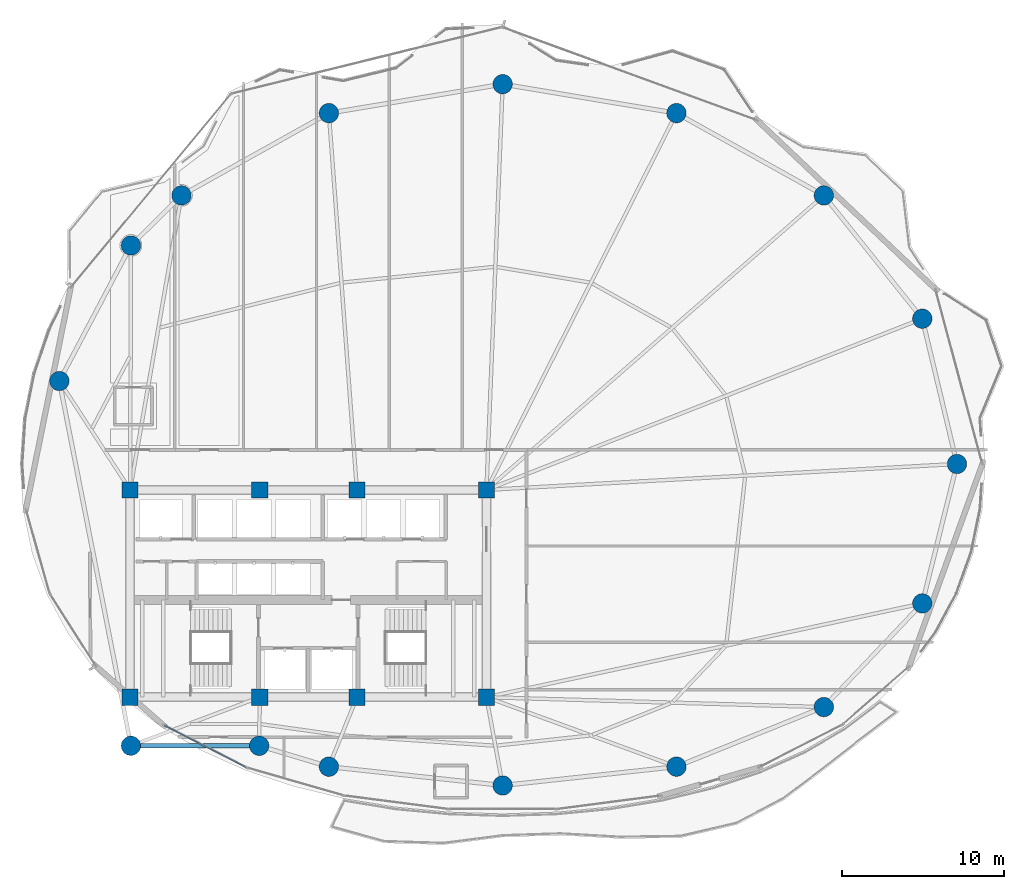
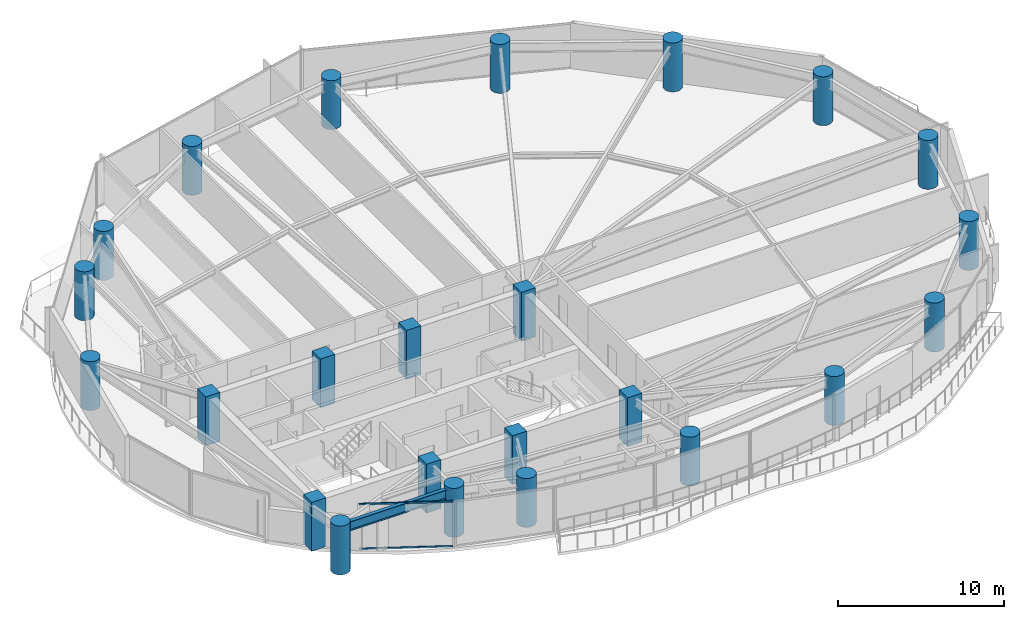
# One storey, part 1 of 28: 24 columns, 2 members, 1 beam, 1 element without a shape of its own.
"""IFC4 building model written with IfcOpenShell, lengths in metres."""

from ifc_helpers import new_model, si_unit, direction, frame, origin, origin_2d, place, context, subcontext, project, spatial, rectangle, hollow_rectangle, circle, i_section, extrude, material, layer, layer_set, material_profile, profile_set, type_object, element, aggregate, save


model = new_model("IFC4")

# Units and contexts
model_context = context("Model", 3, precision=1e-05, world=origin(), true_north=direction((0.0, 1.0)))
body_context = subcontext(model_context, "Body", "Model", "MODEL_VIEW")
ifc_project = project(units=[si_unit("LENGTHUNIT", "METRE"), si_unit("AREAUNIT", "SQUARE_METRE"), si_unit("VOLUMEUNIT", "CUBIC_METRE"), si_unit("PLANEANGLEUNIT", "RADIAN"), si_unit("MASSUNIT", "GRAM", prefix="KILO")], contexts=[model_context])

# Site, building, storey
site_placement = place(None, origin())
site = spatial("IfcSite", under=ifc_project, at=site_placement, CompositionType="ELEMENT")
building_placement = place(site_placement, origin())
building = spatial("IfcBuilding", under=site, at=building_placement, Name="Kazevale Care Tower and Concert Hall", CompositionType="ELEMENT")
storey_placement = place(building_placement, frame((0.0, 0.0, 102.60009765625)))
storey = spatial("IfcBuildingStorey", under=building, at=storey_placement, Name="L26", CompositionType="ELEMENT", Elevation=102.60009765625)

# Columns
ifc_material_1 = material(Name="Concrete C60", Category="concrete")
ifc_material_profile_1 = material_profile(ifc_material_1, rectangle(XDim=1.0, YDim=1.0, at=origin_2d()), Name="RC-SQ1000")
ifc_profile_set_1 = profile_set([ifc_material_profile_1], Name="Concrete C60")
column_type_1 = type_object("IfcColumnType", Name="Core Column SQ1000 C60", PredefinedType="COLUMN", material=ifc_profile_set_1)
for number, where, z_axis, x_axis, name in (
    (1, (22.0, 23.60009765625, 0.0), (0.0, 0.0, 1.0), (1.0, 0.0, 0.0), "col:L26:CC-01"),
    (2, (30.0, 23.60009765625, 0.0), (0.0, 0.0, 1.0), (1.0, 0.0, 0.0), "col:L26:CC-02"),
    (3, (36.0, 23.60009765625, 0.0), (0.0, 0.0, 1.0), (1.0, 0.0, 0.0), "col:L26:CC-03"),
    (4, (44.0, 23.60009765625, 0.0), (0.0, 0.0, 1.0), (1.0, 0.0, 0.0), "col:L26:CC-04"),
    (5, (44.0, 36.39990234375, 0.0), (0.0, 0.0, 1.0), (1.0, 0.0, 0.0), "col:L26:CC-05"),
    (6, (36.0, 36.39990234375, 0.0), (0.0, 0.0, 1.0), (1.0, 0.0, 0.0), "col:L26:CC-06"),
    (7, (30.0, 36.39990234375, 0.0), (0.0, 0.0, 1.0), (1.0, 0.0, 0.0), "col:L26:CC-07"),
    (8, (22.0, 36.39990234375, 0.0), (0.0, 0.0, 1.0), (1.0, 0.0, 0.0), "col:L26:CC-08"),
):
    element("IfcColumn", number, at=place(storey_placement, frame(where, z_axis=z_axis, x_axis=x_axis)), inside=storey, type_object=column_type_1, Name=name, PredefinedType="COLUMN", context=body_context, shape_type="SweptSolid", body=[
        extrude(rectangle(XDim=1.0, YDim=1.0, at=origin_2d()), origin(), (0.0, 0.0, 1.0), 3.599853515625),
    ])
ifc_material_profile_2 = material_profile(ifc_material_1, circle(Radius=0.60009765625, at=origin_2d()), Name="RC-CIR1200")
ifc_profile_set_2 = profile_set([ifc_material_profile_2], Name="Concrete C60")
column_type_2 = type_object("IfcColumnType", Name="Perimeter Column CIR1200 C60", PredefinedType="COLUMN", material=ifc_profile_set_2)
for number, where, z_axis, x_axis, name in (
    (9, (73.050048828125, 38.0, 0.0), (0.0, 0.0, 1.0), (1.0, 0.0, 0.0), "col:L26:PC-01"),
    (10, (70.909912109375, 46.969970703125, 0.0), (0.0, 0.0, 1.0), (1.0, 0.0, 0.0), "col:L26:PC-02"),
    (11, (64.830078125, 54.580078125, 0.0), (0.0, 0.0, 1.0), (1.0, 0.0, 0.0), "col:L26:PC-03"),
    (12, (55.72998046875, 59.659912109375, 0.0), (0.0, 0.0, 1.0), (1.0, 0.0, 0.0), "col:L26:PC-04"),
    (13, (45.0, 61.449951171875, 0.0), (0.0, 0.0, 1.0), (1.0, 0.0, 0.0), "col:L26:PC-05"),
    (14, (34.27001953125, 59.659912109375, 0.0), (0.0, 0.0, 1.0), (1.0, 0.0, 0.0), "col:L26:PC-06"),
    (15, (25.169921875, 54.580078125, 0.0), (0.0, 0.0, 1.0), (1.0, 0.0, 0.0), "col:L26:PC-07"),
    (16, (22.050048828125, 51.489990234375, 0.0), (0.0, 0.0, 1.0), (1.0, 0.0, 0.0), "col:L26:PC-08"),
    (17, (17.6298828125, 43.1201171875, 0.0), (0.0, 0.0, 1.0), (1.0, 0.0, 0.0), "col:L26:PC-09"),
    (18, (22.050048828125, 20.60009765625, 0.0), (0.0, 0.0, 1.0), (1.0, 0.0, 0.0), "col:L26:PC-10"),
    (19, (29.969970703125, 20.60009765625, 0.0), (0.0, 0.0, 1.0), (1.0, 0.0, 0.0), "col:L26:PC-11"),
    (20, (34.27001953125, 19.31005859375, 0.0), (0.0, 0.0, 1.0), (1.0, 0.0, 0.0), "col:L26:PC-12"),
    (21, (45.0, 18.14990234375, 0.0), (0.0, 0.0, 1.0), (1.0, 0.0, 0.0), "col:L26:PC-13"),
    (22, (55.72998046875, 19.31005859375, 0.0), (0.0, 0.0, 1.0), (1.0, 0.0, 0.0), "col:L26:PC-14"),
    (23, (64.830078125, 22.989990234375, 0.0), (0.0, 0.0, 1.0), (1.0, 0.0, 0.0), "col:L26:PC-15"),
    (24, (70.909912109375, 29.389892578125, 0.0), (0.0, 0.0, 1.0), (1.0, 0.0, 0.0), "col:L26:PC-16"),
):
    element("IfcColumn", number, at=place(storey_placement, frame(where, z_axis=z_axis, x_axis=x_axis)), inside=storey, type_object=column_type_2, Name=name, PredefinedType="COLUMN", context=body_context, shape_type="SweptSolid", body=[
        extrude(circle(Radius=0.60009765625, at=origin_2d()), origin(), (0.0, 0.0, 1.0), 3.599853515625),
    ])

# Curtain wall, members
ifc_material_2 = material(Name="Aluminium 6063-T6 and Low-E Glass", Category="aluminium")
ifc_layer = layer(ifc_material_2, 0.179931640625)
ifc_layer_set = layer_set([ifc_layer], Name="Aluminium 6063-T6 and Low-E Glass")
curtain_wall_type = type_object("IfcCurtainWallType", Name="Sheltered Concave Balcony Curtain Wall CW-5", PredefinedType="NOTDEFINED", material=ifc_layer_set)
curtain_wall_placement = place(storey_placement, origin())
curtain_wall = element("IfcCurtainWall", 25, at=curtain_wall_placement, inside=storey, type_object=curtain_wall_type, Name="cw:L26:f09", PredefinedType="NOTDEFINED")
ifc_material_3 = material(Name="Aluminium 6063-T6", Category="aluminium")
ifc_material_profile_3 = material_profile(ifc_material_3, hollow_rectangle(XDim=0.074951171875, YDim=0.1201171875, WallThickness=0.00390625, at=origin_2d()), Name="ALU75x120x4")
ifc_profile_set_3 = profile_set([ifc_material_profile_3], Name="Aluminium 6063-T6")
member_type = type_object("IfcMemberType", Name="CW-5 Transom ALU75x120x4", PredefinedType="USERDEFINED", material=ifc_profile_set_3)
member_1_placement = place(storey_placement, frame((29.144287109375, 19.279296875, 0.037353515625), z_axis=(-0.890142600475, 0.455682072084, 0.0), x_axis=(-0.455682072084, -0.890142600475, 0.0)))
member_1 = element("IfcMember", 26, at=member_1_placement, type_object=member_type, Name="CW-5 transom 1.1", ObjectType="TRANSOM", PredefinedType="USERDEFINED", context=body_context, shape_type="SweptSolid", body=[
    extrude(hollow_rectangle(XDim=0.074951171875, YDim=0.1201171875, WallThickness=0.00390625, at=origin_2d()), origin(), (0.0, 0.0, 1.0), 5.671630859375),
])
member_2_placement = place(storey_placement, frame((29.144287109375, 19.279296875, 3.322509765625), z_axis=(-0.890142600475, 0.455682072084, 0.0), x_axis=(-0.455682072084, -0.890142600475, 0.0)))
member_2 = element("IfcMember", 27, at=member_2_placement, type_object=member_type, Name="CW-5 transom 1.2", ObjectType="TRANSOM", PredefinedType="USERDEFINED", context=body_context, shape_type="SweptSolid", body=[
    extrude(hollow_rectangle(XDim=0.074951171875, YDim=0.1201171875, WallThickness=0.00390625, at=origin_2d()), origin(), (0.0, 0.0, 1.0), 5.671630859375),
])
aggregate(curtain_wall, [member_1, member_2])

# Beam
ifc_material_4 = material(Name="Steel ASTM A572 Gr 50", Category="steel")
ifc_material_profile_4 = material_profile(ifc_material_4, i_section(OverallWidth=0.256103515625, OverallDepth=0.693115234375, WebThickness=0.014404296875, FlangeThickness=0.023681640625, at=origin_2d()), Name="W690x170")
ifc_profile_set_4 = profile_set([ifc_material_profile_4], Name="Steel ASTM A572 Gr 50")
beam_type = type_object("IfcBeamType", Name="Waist Ring Beam W690x170", PredefinedType="BEAM", material=ifc_profile_set_4)
beam_placement = place(storey_placement, frame((22.050048828125, 20.60009765625, 3.013427734375), z_axis=(1.0, 0.0, 0.0), x_axis=(0.0, 1.0, 0.0)))
element("IfcBeam", 28, at=beam_placement, inside=storey, type_object=beam_type, Name="beam:L26:ring:10", PredefinedType="BEAM", context=body_context, shape_type="SweptSolid", body=[
    extrude(i_section(OverallWidth=0.256103515625, OverallDepth=0.693115234375, WebThickness=0.014404296875, FlangeThickness=0.023681640625, at=origin_2d()), origin(), (0.0, 0.0, 1.0), 7.919921875),
])

save(model, "model.ifc")
